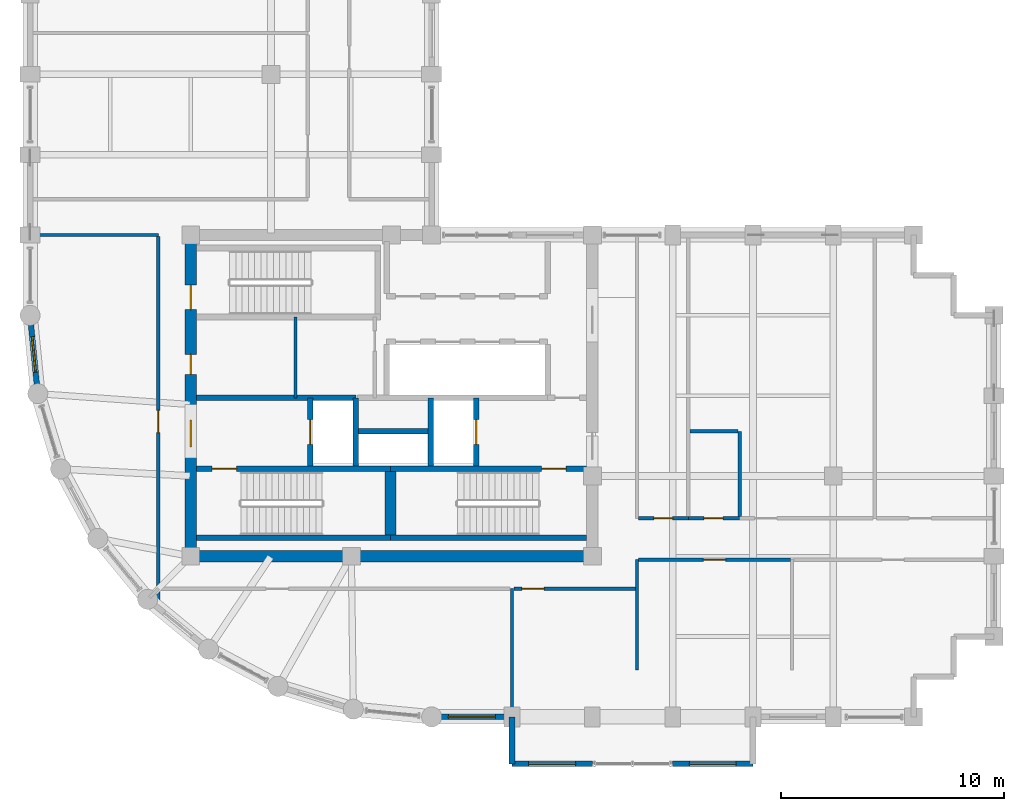
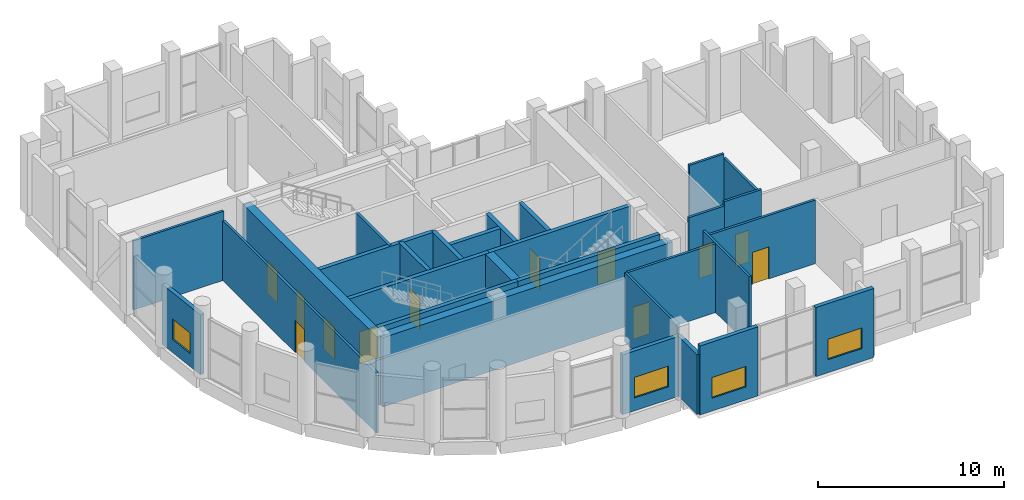
# One storey, part 13 of 16: 29 walls, 12 doors, 4 windows, 16 openings.
"""IFC4 building model written with IfcOpenShell, lengths in metres."""

from ifc_helpers import new_model, si_unit, direction, frame, frame_2d, origin, place, context, subcontext, project, spatial, rectangle, extrude, material, layer, layer_set, type_object, element, fill, save


model = new_model("IFC4")

# Units and contexts
model_context = context("Model", 3, precision=1e-05, world=origin(), true_north=direction((0.0, 1.0)))
body_context = subcontext(model_context, "Body", "Model", "MODEL_VIEW")
ifc_project = project(units=[si_unit("LENGTHUNIT", "METRE"), si_unit("AREAUNIT", "SQUARE_METRE"), si_unit("VOLUMEUNIT", "CUBIC_METRE"), si_unit("PLANEANGLEUNIT", "RADIAN"), si_unit("MASSUNIT", "GRAM", prefix="KILO")], contexts=[model_context])

# Site, building, storey
site_placement = place(None, origin())
site = spatial("IfcSite", under=ifc_project, at=site_placement, CompositionType="ELEMENT")
building_placement = place(site_placement, origin())
building = spatial("IfcBuilding", under=site, at=building_placement, Name="Solnavia Interchange Tower", CompositionType="ELEMENT")
storey_placement = place(building_placement, frame((0.0, 0.0, 209.0)))
storey = spatial("IfcBuildingStorey", under=building, at=storey_placement, Name="L52", CompositionType="ELEMENT", Elevation=209.0)

# Wall, opening, window
ifc_material_1 = material(Name="Concrete C40/50", Category="concrete")
ifc_layer_1 = layer(ifc_material_1, 0.25)
ifc_layer_set_1 = layer_set([ifc_layer_1], Name="Concrete C40/50")
wall_type_1 = type_object("IfcWallType", Name="Wall-ExtSpandrel-250", PredefinedType="STANDARD", material=ifc_layer_set_1)
wall_1_placement = place(storey_placement, frame((28.800048828125, 3.60009765625, 0.0), z_axis=(0.0, 0.0, 1.0), x_axis=(-1.0, 0.0, 0.0)))
wall_1 = element("IfcWall", 1, at=wall_1_placement, inside=storey, type_object=wall_type_1, Name="EXW-L52-01 Exterior precast spandrel wall", PredefinedType="STANDARD", context=body_context, shape_type="SweptSolid", body=[
    extrude(rectangle(XDim=3.60009765625, YDim=0.25, at=frame_2d((1.800048828125, 0.0))), origin(), (0.0, 0.0, 1.0), 3.929931640625),
])
opening_1_placement = place(wall_1_placement, frame((0.75, 0.0, 0.85009765625)))
opening_1 = element("IfcOpeningElement", 2, at=opening_1_placement, cuts=wall_1, Name="Opening WIN-01", PredefinedType="OPENING", context=body_context, shape_type="SweptSolid", body=[
    extrude(rectangle(XDim=2.10009765625, YDim=1.35009765625, at=frame_2d((1.050048828125, 0.675048828125))), frame((0.0, 0.135009765625, 0.0), z_axis=(0.0, -1.0, 0.0), x_axis=(1.0, 0.0, 0.0)), (0.0, 0.0, 1.0), 0.27001953125),
])
ifc_material_2 = material(Name="Thermal-Break Aluminium & Low-E Glass", Category="aluminium")
window_type_1 = type_object("IfcWindowType", Name="Window-Ribbon-2100x1350", PartitioningType="SINGLE_PANEL", PredefinedType="WINDOW", material=ifc_material_2)
window_1_placement = place(opening_1_placement, origin())
window_1 = element("IfcWindow", 3, at=window_1_placement, inside=storey, type_object=window_type_1, Name="WIN-L52-01 Facade ribbon window", OverallHeight=1.35009765625, OverallWidth=2.10009765625, PartitioningType="SINGLE_PANEL", PredefinedType="WINDOW", context=body_context, shape_type="SweptSolid", body=[
    extrude(rectangle(XDim=2.10009765625, YDim=1.35009765625, at=frame_2d((1.050048828125, 0.675048828125))), frame((0.0, 0.030029296875, 0.0), z_axis=(0.0, -1.0, 0.0), x_axis=(1.0, 0.0, 0.0)), (0.0, 0.0, 1.0), 0.06005859375),
])
fill(opening_1, window_1)

# Wall
wall_2_placement = place(storey_placement, frame((28.800048828125, 3.60009765625, 0.0), z_axis=(0.0, 0.0, 1.0), x_axis=(0.0, -1.0, 0.0)))
element("IfcWall", 4, at=wall_2_placement, inside=storey, type_object=wall_type_1, Name="EXW-L52-02 Exterior precast spandrel wall", PredefinedType="STANDARD", context=body_context, shape_type="SweptSolid", body=[
    extrude(rectangle(XDim=2.10009765625, YDim=0.25, at=frame_2d((1.050048828125, 0.0))), origin(), (0.0, 0.0, 1.0), 3.929931640625),
])

# Wall, opening, window
wall_3_placement = place(storey_placement, frame((32.39990234375, 1.5, 0.0), z_axis=(0.0, 0.0, 1.0), x_axis=(-1.0, 0.0, 0.0)))
wall_3 = element("IfcWall", 5, at=wall_3_placement, inside=storey, type_object=wall_type_1, Name="EXW-L52-03 Exterior precast spandrel wall", PredefinedType="STANDARD", context=body_context, shape_type="SweptSolid", body=[
    extrude(rectangle(XDim=3.599853515625, YDim=0.25, at=frame_2d((1.7998046875, 0.0))), origin(), (0.0, 0.0, 1.0), 4.534912109375),
])
opening_2_placement = place(wall_3_placement, frame((0.75, 0.0, 0.85009765625)))
opening_2 = element("IfcOpeningElement", 6, at=opening_2_placement, cuts=wall_3, Name="Opening WIN-01", PredefinedType="OPENING", context=body_context, shape_type="SweptSolid", body=[
    extrude(rectangle(XDim=2.10009765625, YDim=1.35009765625, at=frame_2d((1.050048828125, 0.675048828125))), frame((0.0, 0.135009765625, 0.0), z_axis=(0.0, -1.0, 0.0), x_axis=(1.0, 0.0, 0.0)), (0.0, 0.0, 1.0), 0.27001953125),
])
window_2_placement = place(opening_2_placement, origin())
window_2 = element("IfcWindow", 7, at=window_2_placement, inside=storey, type_object=window_type_1, Name="WIN-L52-03 Facade ribbon window", OverallHeight=1.35009765625, OverallWidth=2.10009765625, PartitioningType="SINGLE_PANEL", PredefinedType="WINDOW", context=body_context, shape_type="SweptSolid", body=[
    extrude(rectangle(XDim=2.10009765625, YDim=1.35009765625, at=frame_2d((1.050048828125, 0.675048828125))), frame((0.0, 0.030029296875, 0.0), z_axis=(0.0, -1.0, 0.0), x_axis=(1.0, 0.0, 0.0)), (0.0, 0.0, 1.0), 0.06005859375),
])
fill(opening_2, window_2)

wall_4_placement = place(storey_placement, frame((39.60009765625, 1.5, 0.0), z_axis=(0.0, 0.0, 1.0), x_axis=(-1.0, 0.0, 0.0)))
wall_4 = element("IfcWall", 8, at=wall_4_placement, inside=storey, type_object=wall_type_1, Name="EXW-L52-05 Exterior precast spandrel wall", PredefinedType="STANDARD", context=body_context, shape_type="SweptSolid", body=[
    extrude(rectangle(XDim=3.60009765625, YDim=0.25, at=frame_2d((1.800048828125, 0.0))), origin(), (0.0, 0.0, 1.0), 4.534912109375),
])
opening_3_placement = place(wall_4_placement, frame((0.75, 0.0, 0.85009765625)))
opening_3 = element("IfcOpeningElement", 9, at=opening_3_placement, cuts=wall_4, Name="Opening WIN-01", PredefinedType="OPENING", context=body_context, shape_type="SweptSolid", body=[
    extrude(rectangle(XDim=2.10009765625, YDim=1.35009765625, at=frame_2d((1.050048828125, 0.675048828125))), frame((0.0, 0.135009765625, 0.0), z_axis=(0.0, -1.0, 0.0), x_axis=(1.0, 0.0, 0.0)), (0.0, 0.0, 1.0), 0.27001953125),
])
window_3_placement = place(opening_3_placement, origin())
window_3 = element("IfcWindow", 10, at=window_3_placement, inside=storey, type_object=window_type_1, Name="WIN-L52-05 Facade ribbon window", OverallHeight=1.35009765625, OverallWidth=2.10009765625, PartitioningType="SINGLE_PANEL", PredefinedType="WINDOW", context=body_context, shape_type="SweptSolid", body=[
    extrude(rectangle(XDim=2.10009765625, YDim=1.35009765625, at=frame_2d((1.050048828125, 0.675048828125))), frame((0.0, 0.030029296875, 0.0), z_axis=(0.0, -1.0, 0.0), x_axis=(1.0, 0.0, 0.0)), (0.0, 0.0, 1.0), 0.06005859375),
])
fill(opening_3, window_3)

wall_5_placement = place(storey_placement, frame((7.5458984375, 18.087890625, 0.0), z_axis=(0.0, 0.0, 1.0), x_axis=(-0.09802417461, 0.995184033831, 0.0)))
wall_5 = element("IfcWall", 11, at=wall_5_placement, inside=storey, type_object=wall_type_1, Name="EXW-L52-45 Exterior precast spandrel wall", PredefinedType="STANDARD", context=body_context, shape_type="SweptSolid", body=[
    extrude(rectangle(XDim=3.529296875, YDim=0.25, at=frame_2d((1.7646484375, 0.0))), origin(), (0.0, 0.0, 1.0), 3.929931640625),
])
opening_4_placement = place(wall_5_placement, frame((0.965087890625, 0.0, 0.85009765625)))
opening_4 = element("IfcOpeningElement", 12, at=opening_4_placement, cuts=wall_5, Name="Opening WIN-04", PredefinedType="OPENING", context=body_context, shape_type="SweptSolid", body=[
    extrude(rectangle(XDim=1.60009765625, YDim=1.35009765625, at=frame_2d((0.800048828125, 0.675048828125))), frame((0.0, 0.135009765625, 0.0), z_axis=(0.0, -1.0, 0.0), x_axis=(1.0, 0.0, 0.0)), (0.0, 0.0, 1.0), 0.27001953125),
])
window_type_2 = type_object("IfcWindowType", Name="Window-Drum-1600x1350", PartitioningType="SINGLE_PANEL", PredefinedType="WINDOW", material=ifc_material_2)
window_4_placement = place(opening_4_placement, origin())
window_4 = element("IfcWindow", 13, at=window_4_placement, inside=storey, type_object=window_type_2, Name="WIN-L52-45 Facade ribbon window", OverallHeight=1.35009765625, OverallWidth=1.60009765625, PartitioningType="SINGLE_PANEL", PredefinedType="WINDOW", context=body_context, shape_type="SweptSolid", body=[
    extrude(rectangle(XDim=1.60009765625, YDim=1.35009765625, at=frame_2d((0.800048828125, 0.675048828125))), frame((0.0, 0.030029296875, 0.0), z_axis=(0.0, -1.0, 0.0), x_axis=(1.0, 0.0, 0.0)), (0.0, 0.0, 1.0), 0.06005859375),
])
fill(opening_4, window_4)

# Walls
ifc_material_3 = material(Name="Gypsum Plasterboard & Steel Stud", Category="steel")
ifc_layer_2 = layer(ifc_material_3, 0.14990234375)
ifc_layer_set_2 = layer_set([ifc_layer_2], Name="Gypsum Plasterboard & Steel Stud")
wall_type_2 = type_object("IfcWallType", Name="Wall-Partition-150", PredefinedType="PARTITIONING", material=ifc_layer_set_2)
wall_6_placement = place(storey_placement, frame((19.10009765625, 17.89990234375, 0.0), z_axis=(0.0, 0.0, 1.0), x_axis=(0.0, 1.0, 0.0)))
element("IfcWall", 14, at=wall_6_placement, inside=storey, type_object=wall_type_2, Name="CSW-L52-M1 Core shaft wall", PredefinedType="PARTITIONING", context=body_context, shape_type="SweptSolid", body=[
    extrude(rectangle(XDim=3.625, YDim=0.14990234375, at=frame_2d((1.8125, 0.0))), origin(), (0.0, 0.0, 1.0), 4.534912109375),
])
wall_7_placement = place(storey_placement, frame((7.3291015625, 25.199951171875, 0.0), z_axis=(0.0, 0.0, 1.0), x_axis=(1.0, 0.0, 0.0)))
element("IfcWall", 15, at=wall_7_placement, inside=storey, type_object=wall_type_2, Name="PTW-L52-07 Interior partition wall", PredefinedType="PARTITIONING", context=body_context, shape_type="SweptSolid", body=[
    extrude(rectangle(XDim=5.620849609375, YDim=0.14990234375, at=frame_2d((2.810546875, 0.0))), origin(), (0.0, 0.0, 1.0), 4.534912109375),
])
wall_8_placement = place(storey_placement, frame((28.800048828125, 9.35009765625, 0.0), z_axis=(0.0, 0.0, 1.0), x_axis=(0.0, -1.0, 0.0)))
element("IfcWall", 16, at=wall_8_placement, inside=storey, type_object=wall_type_2, Name="PTW-L52-08 Interior partition wall", PredefinedType="PARTITIONING", context=body_context, shape_type="SweptSolid", body=[
    extrude(rectangle(XDim=5.62109375, YDim=0.14990234375, at=frame_2d((2.810546875, 0.0))), origin(), (0.0, 0.0, 1.0), 4.534912109375),
])

# Wall, opening, door
wall_9_placement = place(storey_placement, frame((12.949951171875, 8.60888671875, 0.0), z_axis=(0.0, 0.0, 1.0), x_axis=(0.0, 1.0, 0.0)))
wall_9 = element("IfcWall", 17, at=wall_9_placement, inside=storey, type_object=wall_type_2, Name="PTW-L52-10 Interior partition wall", PredefinedType="PARTITIONING", context=body_context, shape_type="SweptSolid", body=[
    extrude(rectangle(XDim=16.51220703125, YDim=0.14990234375, at=frame_2d((8.256103515625, 0.0))), origin(), (0.0, 0.0, 1.0), 3.929931640625),
])
opening_5_placement = place(wall_9_placement, frame((7.73095703125, 0.0, 0.0)))
opening_5 = element("IfcOpeningElement", 18, at=opening_5_placement, cuts=wall_9, Name="Opening DR-07", PredefinedType="OPENING", context=body_context, shape_type="SweptSolid", body=[
    extrude(rectangle(XDim=1.0, YDim=2.10009765625, at=frame_2d((0.5, 1.050048828125))), frame((0.0, 0.0849609375, 0.0), z_axis=(0.0, -1.0, 0.0), x_axis=(1.0, 0.0, 0.0)), (0.0, 0.0, 1.0), 0.169921875),
])
ifc_material_4 = material(Name="Timber & Acoustic Glazed Office Door", Category="wood")
door_type_1 = type_object("IfcDoorType", Name="Door-Office-1000x2100", OperationType="SINGLE_SWING_RIGHT", PredefinedType="DOOR", material=ifc_material_4)
door_1_placement = place(opening_5_placement, origin())
door_1 = element("IfcDoor", 19, at=door_1_placement, inside=storey, type_object=door_type_1, Name="DR-L52-03 Interior room door", OperationType="SINGLE_SWING_LEFT", OverallHeight=2.10009765625, OverallWidth=1.0, PredefinedType="DOOR", context=body_context, shape_type="SweptSolid", body=[
    extrude(rectangle(XDim=1.0, YDim=2.10009765625, at=frame_2d((0.5, 1.050048828125))), frame((0.0, 0.02490234375, 0.0), z_axis=(0.0, -1.0, 0.0), x_axis=(1.0, 0.0, 0.0)), (0.0, 0.0, 1.0), 0.050048828125),
])
fill(opening_5, door_1)

wall_10_placement = place(storey_placement, frame((28.87890625, 9.35009765625, 0.0), z_axis=(0.0, 0.0, 1.0), x_axis=(1.0, 0.0, 0.0)))
wall_10 = element("IfcWall", 20, at=wall_10_placement, inside=storey, type_object=wall_type_2, Name="PTW-L52-12 Interior partition wall", PredefinedType="PARTITIONING", context=body_context, shape_type="SweptSolid", body=[
    extrude(rectangle(XDim=5.52099609375, YDim=0.14990234375, at=frame_2d((2.760498046875, 0.0))), origin(), (0.0, 0.0, 1.0), 4.534912109375),
])
opening_6_placement = place(wall_10_placement, frame((0.360107421875, 0.0, 0.0)))
opening_6 = element("IfcOpeningElement", 21, at=opening_6_placement, cuts=wall_10, Name="Opening DR-07", PredefinedType="OPENING", context=body_context, shape_type="SweptSolid", body=[
    extrude(rectangle(XDim=1.0, YDim=2.10009765625, at=frame_2d((0.5, 1.050048828125))), frame((0.0, 0.0849609375, 0.0), z_axis=(0.0, -1.0, 0.0), x_axis=(1.0, 0.0, 0.0)), (0.0, 0.0, 1.0), 0.169921875),
])
door_2_placement = place(opening_6_placement, origin())
door_2 = element("IfcDoor", 22, at=door_2_placement, inside=storey, type_object=door_type_1, Name="DR-L52-05 Interior room door", OperationType="SINGLE_SWING_LEFT", OverallHeight=2.10009765625, OverallWidth=1.0, PredefinedType="DOOR", context=body_context, shape_type="SweptSolid", body=[
    extrude(rectangle(XDim=1.0, YDim=2.10009765625, at=frame_2d((0.5, 1.050048828125))), frame((0.0, 0.02490234375, 0.0), z_axis=(0.0, -1.0, 0.0), x_axis=(1.0, 0.0, 0.0)), (0.0, 0.0, 1.0), 0.050048828125),
])
fill(opening_6, door_2)

# Wall
wall_11_placement = place(storey_placement, frame((34.39990234375, 5.699951171875, 0.0), z_axis=(0.0, 0.0, 1.0), x_axis=(0.0, 1.0, 0.0)))
element("IfcWall", 23, at=wall_11_placement, inside=storey, type_object=wall_type_2, Name="PTW-L52-13 Interior partition wall", PredefinedType="PARTITIONING", context=body_context, shape_type="SweptSolid", body=[
    extrude(rectangle(XDim=4.949951171875, YDim=0.14990234375, at=frame_2d((2.47509765625, 0.0))), origin(), (0.0, 0.0, 1.0), 4.534912109375),
])

# Wall, opening, door
wall_12_placement = place(storey_placement, frame((34.47900390625, 10.64990234375, 0.0), z_axis=(0.0, 0.0, 1.0), x_axis=(1.0, 0.0, 0.0)))
wall_12 = element("IfcWall", 24, at=wall_12_placement, inside=storey, type_object=wall_type_2, Name="PTW-L52-15 Interior partition wall", PredefinedType="PARTITIONING", context=body_context, shape_type="SweptSolid", body=[
    extrude(rectangle(XDim=6.7919921875, YDim=0.14990234375, at=frame_2d((3.39599609375, 0.0))), origin(), (0.0, 0.0, 1.0), 4.169921875),
])
opening_7_placement = place(wall_12_placement, frame((2.89599609375, 0.0, 0.0)))
opening_7 = element("IfcOpeningElement", 25, at=opening_7_placement, cuts=wall_12, Name="Opening DR-07", PredefinedType="OPENING", context=body_context, shape_type="SweptSolid", body=[
    extrude(rectangle(XDim=1.0, YDim=2.10009765625, at=frame_2d((0.5, 1.050048828125))), frame((0.0, 0.0849609375, 0.0), z_axis=(0.0, -1.0, 0.0), x_axis=(1.0, 0.0, 0.0)), (0.0, 0.0, 1.0), 0.169921875),
])
door_3_placement = place(opening_7_placement, origin())
door_3 = element("IfcDoor", 26, at=door_3_placement, inside=storey, type_object=door_type_1, Name="DR-L52-06 Interior room door", OperationType="SINGLE_SWING_RIGHT", OverallHeight=2.10009765625, OverallWidth=1.0, PredefinedType="DOOR", context=body_context, shape_type="SweptSolid", body=[
    extrude(rectangle(XDim=1.0, YDim=2.10009765625, at=frame_2d((0.5, 1.050048828125))), frame((0.0, 0.02490234375, 0.0), z_axis=(0.0, -1.0, 0.0), x_axis=(1.0, 0.0, 0.0)), (0.0, 0.0, 1.0), 0.050048828125),
])
fill(opening_7, door_3)

# Wall
ifc_layer_3 = layer(ifc_material_1, 0.25)
ifc_layer_set_3 = layer_set([ifc_layer_3], Name="Concrete C40/50")
wall_type_3 = type_object("IfcWallType", Name="Wall-ShaftCore-250", PredefinedType="SHEAR", material=ifc_layer_set_3)
wall_13_placement = place(storey_placement, frame((14.64990234375, 11.625, 0.0), z_axis=(0.0, 0.0, 1.0), x_axis=(1.0, 0.0, 0.0)))
element("IfcWall", 27, at=wall_13_placement, inside=storey, type_object=wall_type_3, Name="SHW-L52-ST1S Core shear wall", PredefinedType="SHEAR", context=body_context, shape_type="SweptSolid", body=[
    extrude(rectangle(XDim=8.7001953125, YDim=0.25, at=frame_2d((4.35009765625, 0.0))), origin(), (0.0, 0.0, 1.0), 4.550048828125),
])

# Wall, opening, door
wall_14_placement = place(storey_placement, frame((14.64990234375, 14.715087890625, 0.0), z_axis=(0.0, 0.0, 1.0), x_axis=(1.0, 0.0, 0.0)))
wall_14 = element("IfcWall", 28, at=wall_14_placement, inside=storey, type_object=wall_type_3, Name="SHW-L52-ST1N Core shear wall", PredefinedType="SHEAR", context=body_context, shape_type="SweptSolid", body=[
    extrude(rectangle(XDim=8.7001953125, YDim=0.25, at=frame_2d((4.35009765625, 0.0))), origin(), (0.0, 0.0, 1.0), 4.550048828125),
])
opening_8_placement = place(wall_14_placement, frame((0.705078125, 0.0, 0.0)))
opening_8 = element("IfcOpeningElement", 29, at=opening_8_placement, cuts=wall_14, Name="Opening DR-01", PredefinedType="OPENING", context=body_context, shape_type="SweptSolid", body=[
    extrude(rectangle(XDim=1.10009765625, YDim=2.10009765625, at=frame_2d((0.550048828125, 1.050048828125))), frame((0.0, 0.135009765625, 0.0), z_axis=(0.0, -1.0, 0.0), x_axis=(1.0, 0.0, 0.0)), (0.0, 0.0, 1.0), 0.27001953125),
])
ifc_material_5 = material(Name="Steel Fire-Rated Leaf & Frame", Category="steel")
door_type_2 = type_object("IfcDoorType", Name="Door-StairFire-1100x2100", OperationType="SINGLE_SWING_LEFT", PredefinedType="DOOR", material=ifc_material_5)
door_4_placement = place(opening_8_placement, origin())
door_4 = element("IfcDoor", 30, at=door_4_placement, inside=storey, type_object=door_type_2, Name="DR-L52-ST1 Core fire door", OperationType="SINGLE_SWING_LEFT", OverallHeight=2.10009765625, OverallWidth=1.10009765625, PredefinedType="DOOR", context=body_context, shape_type="SweptSolid", body=[
    extrude(rectangle(XDim=1.10009765625, YDim=2.10009765625, at=frame_2d((0.550048828125, 1.050048828125))), frame((0.0, 0.02490234375, 0.0), z_axis=(0.0, -1.0, 0.0), x_axis=(1.0, 0.0, 0.0)), (0.0, 0.0, 1.0), 0.050048828125),
])
fill(opening_8, door_4)

# Wall
wall_15_placement = place(storey_placement, frame((23.35009765625, 11.625, 0.0), z_axis=(0.0, 0.0, 1.0), x_axis=(1.0, 0.0, 0.0)))
element("IfcWall", 31, at=wall_15_placement, inside=storey, type_object=wall_type_3, Name="SHW-L52-ST2S Core shear wall", PredefinedType="SHEAR", context=body_context, shape_type="SweptSolid", body=[
    extrude(rectangle(XDim=8.7998046875, YDim=0.25, at=frame_2d((4.39990234375, 0.0))), origin(), (0.0, 0.0, 1.0), 4.550048828125),
])

# Wall, opening, door
wall_16_placement = place(storey_placement, frame((23.35009765625, 14.715087890625, 0.0), z_axis=(0.0, 0.0, 1.0), x_axis=(1.0, 0.0, 0.0)))
wall_16 = element("IfcWall", 32, at=wall_16_placement, inside=storey, type_object=wall_type_3, Name="SHW-L52-ST2N Core shear wall", PredefinedType="SHEAR", context=body_context, shape_type="SweptSolid", body=[
    extrude(rectangle(XDim=8.7998046875, YDim=0.25, at=frame_2d((4.39990234375, 0.0))), origin(), (0.0, 0.0, 1.0), 4.550048828125),
])
opening_9_placement = place(wall_16_placement, frame((6.77490234375, 0.0, 0.0)))
opening_9 = element("IfcOpeningElement", 33, at=opening_9_placement, cuts=wall_16, Name="Opening DR-01", PredefinedType="OPENING", context=body_context, shape_type="SweptSolid", body=[
    extrude(rectangle(XDim=1.10009765625, YDim=2.10009765625, at=frame_2d((0.550048828125, 1.050048828125))), frame((0.0, 0.135009765625, 0.0), z_axis=(0.0, -1.0, 0.0), x_axis=(1.0, 0.0, 0.0)), (0.0, 0.0, 1.0), 0.27001953125),
])
door_5_placement = place(opening_9_placement, origin())
door_5 = element("IfcDoor", 34, at=door_5_placement, inside=storey, type_object=door_type_2, Name="DR-L52-ST2 Core fire door", OperationType="SINGLE_SWING_LEFT", OverallHeight=2.10009765625, OverallWidth=1.10009765625, PredefinedType="DOOR", context=body_context, shape_type="SweptSolid", body=[
    extrude(rectangle(XDim=1.10009765625, YDim=2.10009765625, at=frame_2d((0.550048828125, 1.050048828125))), frame((0.0, 0.02490234375, 0.0), z_axis=(0.0, -1.0, 0.0), x_axis=(1.0, 0.0, 0.0)), (0.0, 0.0, 1.0), 0.050048828125),
])
fill(opening_9, door_5)

# Wall
ifc_layer_4 = layer(ifc_material_1, 0.25)
ifc_layer_set_4 = layer_set([ifc_layer_4], Name="Concrete C40/50")
wall_type_4 = type_object("IfcWallType", Name="Wall-ShaftPart-250", PredefinedType="PARTITIONING", material=ifc_layer_set_4)
wall_17_placement = place(storey_placement, frame((14.64990234375, 17.89990234375, 0.0), z_axis=(0.0, 0.0, 1.0), x_axis=(1.0, 0.0, 0.0)))
element("IfcWall", 35, at=wall_17_placement, inside=storey, type_object=wall_type_4, Name="SHW-L52-FFLW-N Core shaft wall", PredefinedType="PARTITIONING", context=body_context, shape_type="SweptSolid", body=[
    extrude(rectangle(XDim=7.150146484375, YDim=0.25, at=frame_2d((3.5751953125, 0.0))), origin(), (0.0, 0.0, 1.0), 4.534912109375),
])

# Wall, opening, door
wall_18_placement = place(storey_placement, frame((19.75, 14.840087890625, 0.0), z_axis=(0.0, 0.0, 1.0), x_axis=(0.0, 1.0, 0.0)))
wall_18 = element("IfcWall", 36, at=wall_18_placement, inside=storey, type_object=wall_type_4, Name="SHW-L52-FFL1-W Core shaft wall", PredefinedType="PARTITIONING", context=body_context, shape_type="SweptSolid", body=[
    extrude(rectangle(XDim=3.059814453125, YDim=0.25, at=frame_2d((1.52978515625, 0.0))), origin(), (0.0, 0.0, 1.0), 4.534912109375),
])
opening_10_placement = place(wall_18_placement, frame((0.97998046875, 0.0, 0.0)))
opening_10 = element("IfcOpeningElement", 37, at=opening_10_placement, cuts=wall_18, Name="Opening LD-01", PredefinedType="OPENING", context=body_context, shape_type="SweptSolid", body=[
    extrude(rectangle(XDim=1.10009765625, YDim=2.10009765625, at=frame_2d((0.550048828125, 1.050048828125))), frame((0.0, 0.135009765625, 0.0), z_axis=(0.0, -1.0, 0.0), x_axis=(1.0, 0.0, 0.0)), (0.0, 0.0, 1.0), 0.27001953125),
])
ifc_material_6 = material(Name="Brushed Stainless Steel Sliding Door", Category="steel")
door_type_3 = type_object("IfcDoorType", Name="Door-LiftLanding-1100x2100", OperationType="SLIDING_TO_LEFT", PredefinedType="DOOR", material=ifc_material_6)
door_6_placement = place(opening_10_placement, origin())
door_6 = element("IfcDoor", 38, at=door_6_placement, inside=storey, type_object=door_type_3, Name="LD-L52-FFL1 Lift landing sliding door", OperationType="SLIDING_TO_LEFT", OverallHeight=2.10009765625, OverallWidth=1.10009765625, PredefinedType="DOOR", context=body_context, shape_type="SweptSolid", body=[
    extrude(rectangle(XDim=1.10009765625, YDim=2.10009765625, at=frame_2d((0.550048828125, 1.050048828125))), frame((0.0, 0.02490234375, 0.0), z_axis=(0.0, -1.0, 0.0), x_axis=(1.0, 0.0, 0.0)), (0.0, 0.0, 1.0), 0.050048828125),
])
fill(opening_10, door_6)

# Walls
for number, where, z_axis, x_axis, name in (
    (39, (21.800048828125, 14.840087890625, 0.0), (0.0, 0.0, 1.0), (0.0, 1.0, 0.0), "SHW-L52-FFL1-E Core shaft wall"),
    (40, (25.14990234375, 14.840087890625, 0.0), (0.0, 0.0, 1.0), (0.0, 1.0, 0.0), "SHW-L52-FFL2-W Core shaft wall"),
):
    element("IfcWall", number, at=place(storey_placement, frame(where, z_axis=z_axis, x_axis=x_axis)), inside=storey, type_object=wall_type_4, Name=name, PredefinedType="PARTITIONING", context=body_context, shape_type="SweptSolid", body=[
        extrude(rectangle(XDim=3.059814453125, YDim=0.25, at=frame_2d((1.52978515625, 0.0))), origin(), (0.0, 0.0, 1.0), 4.534912109375),
    ])

# Wall, opening, door
wall_19_placement = place(storey_placement, frame((27.199951171875, 14.840087890625, 0.0), z_axis=(0.0, 0.0, 1.0), x_axis=(0.0, 1.0, 0.0)))
wall_19 = element("IfcWall", 41, at=wall_19_placement, inside=storey, type_object=wall_type_4, Name="SHW-L52-FFL2-E Core shaft wall", PredefinedType="PARTITIONING", context=body_context, shape_type="SweptSolid", body=[
    extrude(rectangle(XDim=3.059814453125, YDim=0.25, at=frame_2d((1.52978515625, 0.0))), origin(), (0.0, 0.0, 1.0), 4.534912109375),
])
opening_11_placement = place(wall_19_placement, frame((0.97998046875, 0.0, 0.0)))
opening_11 = element("IfcOpeningElement", 42, at=opening_11_placement, cuts=wall_19, Name="Opening LD-01", PredefinedType="OPENING", context=body_context, shape_type="SweptSolid", body=[
    extrude(rectangle(XDim=1.10009765625, YDim=2.10009765625, at=frame_2d((0.550048828125, 1.050048828125))), frame((0.0, 0.135009765625, 0.0), z_axis=(0.0, -1.0, 0.0), x_axis=(1.0, 0.0, 0.0)), (0.0, 0.0, 1.0), 0.27001953125),
])
door_7_placement = place(opening_11_placement, origin())
door_7 = element("IfcDoor", 43, at=door_7_placement, inside=storey, type_object=door_type_3, Name="LD-L52-FFL2 Lift landing sliding door", OperationType="SLIDING_TO_LEFT", OverallHeight=2.10009765625, OverallWidth=1.10009765625, PredefinedType="DOOR", context=body_context, shape_type="SweptSolid", body=[
    extrude(rectangle(XDim=1.10009765625, YDim=2.10009765625, at=frame_2d((0.550048828125, 1.050048828125))), frame((0.0, 0.02490234375, 0.0), z_axis=(0.0, -1.0, 0.0), x_axis=(1.0, 0.0, 0.0)), (0.0, 0.0, 1.0), 0.050048828125),
])
fill(opening_11, door_7)

# Walls
wall_20_placement = place(storey_placement, frame((21.800048828125, 16.39990234375, 0.0), z_axis=(0.0, 0.0, 1.0), x_axis=(1.0, 0.0, 0.0)))
element("IfcWall", 44, at=wall_20_placement, inside=storey, type_object=wall_type_4, Name="SHW-L52-MEP-N Core shaft wall", PredefinedType="PARTITIONING", context=body_context, shape_type="SweptSolid", body=[
    extrude(rectangle(XDim=3.349853515625, YDim=0.25, at=frame_2d((1.6748046875, 0.0))), origin(), (0.0, 0.0, 1.0), 4.534912109375),
])
ifc_material_7 = material(Name="Concrete C60/75", Category="concrete")
ifc_layer_5 = layer(ifc_material_7, 0.5)
ifc_layer_set_5 = layer_set([ifc_layer_5], Name="Concrete C60/75")
wall_type_5 = type_object("IfcWallType", Name="Wall-ShearCore-500", PredefinedType="SHEAR", material=ifc_layer_set_5)
wall_21_placement = place(storey_placement, frame((14.39990234375, 10.800048828125, 0.0), z_axis=(0.0, 0.0, 1.0), x_axis=(1.0, 0.0, 0.0)))
element("IfcWall", 45, at=wall_21_placement, inside=storey, type_object=wall_type_5, Name="CRW-L52-S Core shear wall", PredefinedType="SHEAR", context=body_context, shape_type="SweptSolid", body=[
    extrude(rectangle(XDim=18.0, YDim=0.5, at=frame_2d((9.0, 0.0))), origin(), (0.0, 0.0, 1.0), 4.550048828125),
])

# Wall, openings, doors
wall_22_placement = place(storey_placement, frame((14.39990234375, 10.800048828125, 0.0), z_axis=(0.0, 0.0, 1.0), x_axis=(0.0, 1.0, 0.0)))
wall_22 = element("IfcWall", 46, at=wall_22_placement, inside=storey, type_object=wall_type_5, Name="CRW-L52-W Core shear wall", PredefinedType="SHEAR", context=body_context, shape_type="SweptSolid", body=[
    extrude(rectangle(XDim=14.39990234375, YDim=0.5, at=frame_2d((7.199951171875, 0.0))), origin(), (0.0, 0.0, 1.0), 4.550048828125),
])
opening_12_placement = place(wall_22_placement, frame((11.050048828125, 0.0, 0.0)))
opening_12 = element("IfcOpeningElement", 47, at=opening_12_placement, cuts=wall_22, Name="Opening DR-01", PredefinedType="OPENING", context=body_context, shape_type="SweptSolid", body=[
    extrude(rectangle(XDim=1.10009765625, YDim=2.10009765625, at=frame_2d((0.550048828125, 1.050048828125))), frame((0.0, 0.260009765625, 0.0), z_axis=(0.0, -1.0, 0.0), x_axis=(1.0, 0.0, 0.0)), (0.0, 0.0, 1.0), 0.52001953125),
])
opening_13_placement = place(wall_22_placement, frame((4.89990234375, 0.0, 0.0)))
opening_13 = element("IfcOpeningElement", 48, at=opening_13_placement, cuts=wall_22, Name="Opening DR-02", PredefinedType="OPENING", context=body_context, shape_type="SweptSolid", body=[
    extrude(rectangle(XDim=1.199951171875, YDim=2.10009765625, at=frame_2d((0.60009765625, 1.050048828125))), frame((0.0, 0.260009765625, 0.0), z_axis=(0.0, -1.0, 0.0), x_axis=(1.0, 0.0, 0.0)), (0.0, 0.0, 1.0), 0.52001953125),
])
opening_14_placement = place(wall_22_placement, frame((8.14990234375, 0.0, 0.0)))
opening_14 = element("IfcOpeningElement", 49, at=opening_14_placement, cuts=wall_22, Name="Opening DR-09", PredefinedType="OPENING", context=body_context, shape_type="SweptSolid", body=[
    extrude(rectangle(XDim=0.89990234375, YDim=2.10009765625, at=frame_2d((0.449951171875, 1.050048828125))), frame((0.0, 0.260009765625, 0.0), z_axis=(0.0, -1.0, 0.0), x_axis=(1.0, 0.0, 0.0)), (0.0, 0.0, 1.0), 0.52001953125),
])
ifc_material_8 = material(Name="Engineered Oak Veneer Door", Category="wood")
door_type_4 = type_object("IfcDoorType", Name="Door-Internal-900x2100", OperationType="SINGLE_SWING_LEFT", PredefinedType="DOOR", material=ifc_material_8)
door_8_placement = place(opening_14_placement, origin())
door_8 = element("IfcDoor", 50, at=door_8_placement, inside=storey, type_object=door_type_4, Name="DR-L52-CS1 Core fire door", OperationType="SINGLE_SWING_RIGHT", OverallHeight=2.10009765625, OverallWidth=0.89990234375, PredefinedType="DOOR", context=body_context, shape_type="SweptSolid", body=[
    extrude(rectangle(XDim=0.89990234375, YDim=2.10009765625, at=frame_2d((0.449951171875, 1.050048828125))), frame((0.0, 0.02490234375, 0.0), z_axis=(0.0, -1.0, 0.0), x_axis=(1.0, 0.0, 0.0)), (0.0, 0.0, 1.0), 0.050048828125),
])
fill(opening_14, door_8)
ifc_material_9 = material(Name="Steel Fire-Rated Vision-Panel Door", Category="steel")
door_type_5 = type_object("IfcDoorType", Name="Door-LobbyFire-1200x2100", OperationType="SINGLE_SWING_RIGHT", PredefinedType="DOOR", material=ifc_material_9)
door_9_placement = place(opening_13_placement, origin())
door_9 = element("IfcDoor", 51, at=door_9_placement, inside=storey, type_object=door_type_5, Name="DR-L52-FFL1W Core fire door", OperationType="SINGLE_SWING_RIGHT", OverallHeight=2.10009765625, OverallWidth=1.199951171875, PredefinedType="DOOR", context=body_context, shape_type="SweptSolid", body=[
    extrude(rectangle(XDim=1.199951171875, YDim=2.10009765625, at=frame_2d((0.60009765625, 1.050048828125))), frame((0.0, 0.02490234375, 0.0), z_axis=(0.0, -1.0, 0.0), x_axis=(1.0, 0.0, 0.0)), (0.0, 0.0, 1.0), 0.050048828125),
])
fill(opening_13, door_9)
door_10_placement = place(opening_12_placement, origin())
door_10 = element("IfcDoor", 52, at=door_10_placement, inside=storey, type_object=door_type_2, Name="DR-L52-ST3 Core fire door", OperationType="SINGLE_SWING_RIGHT", OverallHeight=2.10009765625, OverallWidth=1.10009765625, PredefinedType="DOOR", context=body_context, shape_type="SweptSolid", body=[
    extrude(rectangle(XDim=1.10009765625, YDim=2.10009765625, at=frame_2d((0.550048828125, 1.050048828125))), frame((0.0, 0.02490234375, 0.0), z_axis=(0.0, -1.0, 0.0), x_axis=(1.0, 0.0, 0.0)), (0.0, 0.0, 1.0), 0.050048828125),
])
fill(opening_12, door_10)

# Wall
wall_23_placement = place(storey_placement, frame((23.35009765625, 11.75, 0.0), z_axis=(0.0, 0.0, 1.0), x_axis=(0.0, 1.0, 0.0)))
element("IfcWall", 53, at=wall_23_placement, inside=storey, type_object=wall_type_5, Name="SHW-L52-ST12M Core shear wall", PredefinedType="SHEAR", context=body_context, shape_type="SweptSolid", body=[
    extrude(rectangle(XDim=2.840087890625, YDim=0.5, at=frame_2d((1.419921875, 0.0))), origin(), (0.0, 0.0, 1.0), 4.550048828125),
])

# Wall, opening, door
ifc_material_10 = material(Name="Moisture-Resistant Gypsum & Steel Stud", Category="steel")
ifc_layer_6 = layer(ifc_material_10, 0.14990234375)
ifc_layer_set_6 = layer_set([ifc_layer_6], Name="Moisture-Resistant Gypsum & Steel Stud")
wall_type_6 = type_object("IfcWallType", Name="Wall-WetRoom-150", PredefinedType="PARTITIONING", material=ifc_layer_set_6)
wall_24_placement = place(storey_placement, frame((34.47900390625, 12.5, 0.0), z_axis=(0.0, 0.0, 1.0), x_axis=(1.0, 0.0, 0.0)))
wall_24 = element("IfcWall", 54, at=wall_24_placement, inside=storey, type_object=wall_type_6, Name="PTW-L52-02 Interior partition wall", PredefinedType="PARTITIONING", context=body_context, shape_type="SweptSolid", body=[
    extrude(rectangle(XDim=2.220947265625, YDim=0.14990234375, at=frame_2d((1.1103515625, 0.0))), origin(), (0.0, 0.0, 1.0), 4.260009765625),
])
opening_15_placement = place(wall_24_placement, frame((0.674072265625, 0.0, 0.0)))
opening_15 = element("IfcOpeningElement", 55, at=opening_15_placement, cuts=wall_24, Name="Opening DR-10", PredefinedType="OPENING", context=body_context, shape_type="SweptSolid", body=[
    extrude(rectangle(XDim=0.85009765625, YDim=2.10009765625, at=frame_2d((0.425048828125, 1.050048828125))), frame((0.0, 0.0849609375, 0.0), z_axis=(0.0, -1.0, 0.0), x_axis=(1.0, 0.0, 0.0)), (0.0, 0.0, 1.0), 0.169921875),
])
ifc_material_11 = material(Name="Moisture-Resistant Timber Door", Category="wood")
door_type_6 = type_object("IfcDoorType", Name="Door-Bathroom-850x2100", OperationType="SINGLE_SWING_RIGHT", PredefinedType="DOOR", material=ifc_material_11)
door_11_placement = place(opening_15_placement, origin())
door_11 = element("IfcDoor", 56, at=door_11_placement, inside=storey, type_object=door_type_6, Name="DR-L52-01 Interior room door", OperationType="SINGLE_SWING_RIGHT", OverallHeight=2.10009765625, OverallWidth=0.85009765625, PredefinedType="DOOR", context=body_context, shape_type="SweptSolid", body=[
    extrude(rectangle(XDim=0.85009765625, YDim=2.10009765625, at=frame_2d((0.425048828125, 1.050048828125))), frame((0.0, 0.02490234375, 0.0), z_axis=(0.0, -1.0, 0.0), x_axis=(1.0, 0.0, 0.0)), (0.0, 0.0, 1.0), 0.050048828125),
])
fill(opening_15, door_11)

wall_25_placement = place(storey_placement, frame((36.699951171875, 12.5, 0.0), z_axis=(0.0, 0.0, 1.0), x_axis=(1.0, 0.0, 0.0)))
wall_25 = element("IfcWall", 57, at=wall_25_placement, inside=storey, type_object=wall_type_6, Name="PTW-L52-04 Interior partition wall", PredefinedType="PARTITIONING", context=body_context, shape_type="SweptSolid", body=[
    extrude(rectangle(XDim=2.300048828125, YDim=0.14990234375, at=frame_2d((1.14990234375, 0.0))), origin(), (0.0, 0.0, 1.0), 4.534912109375),
])
opening_16_placement = place(wall_25_placement, frame((0.697021484375, 0.0, 0.0)))
opening_16 = element("IfcOpeningElement", 58, at=opening_16_placement, cuts=wall_25, Name="Opening DR-10", PredefinedType="OPENING", context=body_context, shape_type="SweptSolid", body=[
    extrude(rectangle(XDim=0.85009765625, YDim=2.10009765625, at=frame_2d((0.425048828125, 1.050048828125))), frame((0.0, 0.0849609375, 0.0), z_axis=(0.0, -1.0, 0.0), x_axis=(1.0, 0.0, 0.0)), (0.0, 0.0, 1.0), 0.169921875),
])
door_12_placement = place(opening_16_placement, origin())
door_12 = element("IfcDoor", 59, at=door_12_placement, inside=storey, type_object=door_type_6, Name="DR-L52-02 Interior room door", OperationType="SINGLE_SWING_RIGHT", OverallHeight=2.10009765625, OverallWidth=0.85009765625, PredefinedType="DOOR", context=body_context, shape_type="SweptSolid", body=[
    extrude(rectangle(XDim=0.85009765625, YDim=2.10009765625, at=frame_2d((0.425048828125, 1.050048828125))), frame((0.0, 0.02490234375, 0.0), z_axis=(0.0, -1.0, 0.0), x_axis=(1.0, 0.0, 0.0)), (0.0, 0.0, 1.0), 0.050048828125),
])
fill(opening_16, door_12)

# Walls
wall_26_placement = place(storey_placement, frame((39.0, 12.5791015625, 0.0), z_axis=(0.0, 0.0, 1.0), x_axis=(0.0, 1.0, 0.0)))
element("IfcWall", 60, at=wall_26_placement, inside=storey, type_object=wall_type_6, Name="PTW-L52-05 Interior partition wall", PredefinedType="PARTITIONING", context=body_context, shape_type="SweptSolid", body=[
    extrude(rectangle(XDim=3.82080078125, YDim=0.14990234375, at=frame_2d((1.910400390625, 0.0))), origin(), (0.0, 0.0, 1.0), 4.22998046875),
])
wall_27_placement = place(storey_placement, frame((36.779052734375, 16.39990234375, 0.0), z_axis=(0.0, 0.0, 1.0), x_axis=(1.0, 0.0, 0.0)))
element("IfcWall", 61, at=wall_27_placement, inside=storey, type_object=wall_type_6, Name="PTW-L52-06 Interior partition wall", PredefinedType="PARTITIONING", context=body_context, shape_type="SweptSolid", body=[
    extrude(rectangle(XDim=2.141845703125, YDim=0.14990234375, at=frame_2d((1.07080078125, 0.0))), origin(), (0.0, 0.0, 1.0), 4.534912109375),
])

save(model, "model.ifc")
